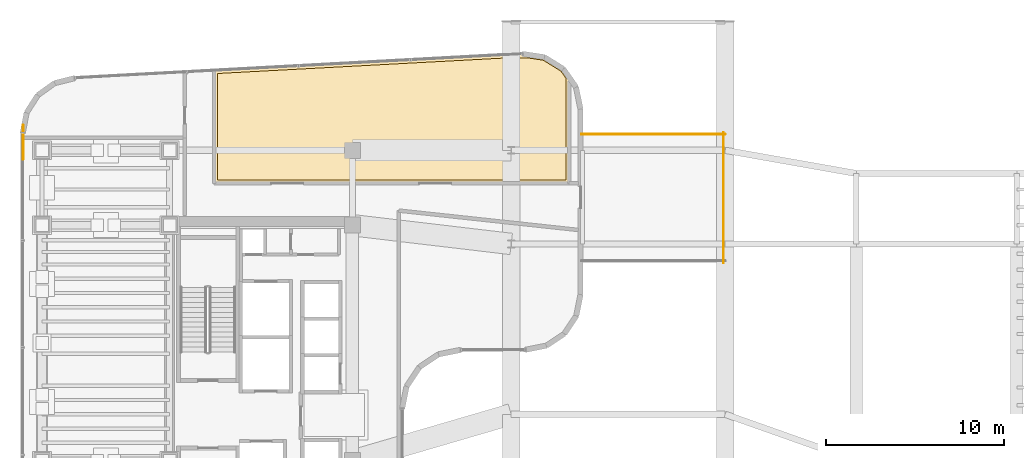
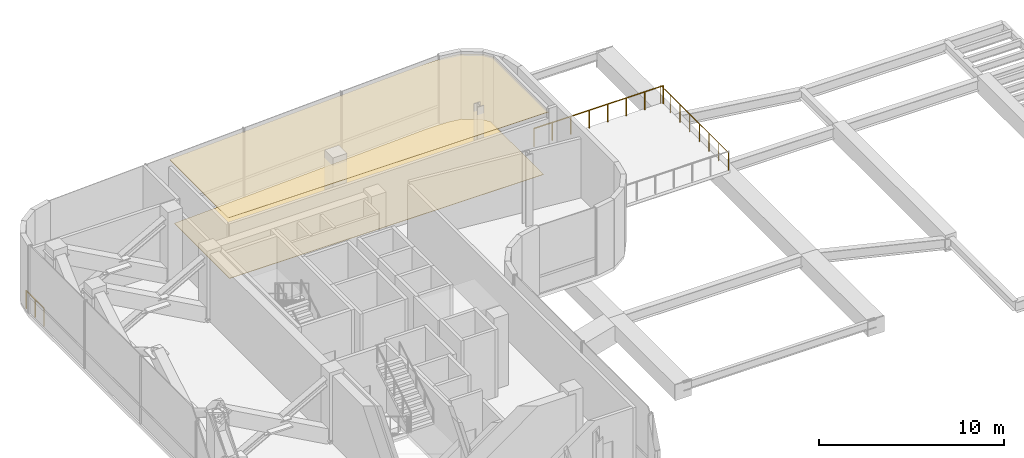
# One storey, part 20 of 20: 3 railings, 2 coverings.
"""IFC4 building model written with IfcOpenShell, lengths in metres."""

from ifc_helpers import new_model, si_unit, direction, frame, origin, origin_2d, place, context, subcontext, project, spatial, polyline, circle, outline, extrude, material, layer, layer_set, type_object, element, save


model = new_model("IFC4")

# Units and contexts
model_context = context("Model", 3, precision=1e-05, world=origin(), true_north=direction((0.0, 1.0)))
body_context = subcontext(model_context, "Body", "Model", "MODEL_VIEW")
ifc_project = project(units=[si_unit("LENGTHUNIT", "METRE"), si_unit("AREAUNIT", "SQUARE_METRE"), si_unit("VOLUMEUNIT", "CUBIC_METRE"), si_unit("PLANEANGLEUNIT", "RADIAN"), si_unit("MASSUNIT", "GRAM", prefix="KILO")], contexts=[model_context])

# Site, building, storey
site_placement = place(None, origin())
site = spatial("IfcSite", under=ifc_project, at=site_placement, CompositionType="ELEMENT")
building_placement = place(site_placement, origin())
building = spatial("IfcBuilding", under=site, at=building_placement, Name="Valdorenza Pilgrim Sanctuary Tower", CompositionType="ELEMENT")
storey_placement = place(building_placement, frame((0.0, 0.0, 196.300048828125)))
storey = spatial("IfcBuildingStorey", under=building, at=storey_placement, Name="L50", CompositionType="ELEMENT", Elevation=196.300048828125)

# Coverings
ifc_material_1 = material(Name="Micro-perforated acoustic mineral ceiling tile", Category="gypsum")
ifc_layer_1 = layer(ifc_material_1, 0.02490234375, Name="Micro-perforated acoustic mineral ceiling tile")
ifc_layer_set_1 = layer_set([ifc_layer_1], Name="Micro-perforated acoustic mineral ceiling tile")
covering_type_1 = type_object("IfcCoveringType", Name="COV-CLG-ACU", PredefinedType="CEILING", material=ifc_layer_set_1)
covering_1_placement = place(storey_placement, frame((0.0, 0.0, 4.159912109375)))
element("IfcCovering", 1, at=covering_1_placement, inside=storey, type_object=covering_type_1, Name="L50 Primary Smokeproof Refuge Area Acoustic Ceiling", PredefinedType="CEILING", context=body_context, shape_type="SweptSolid", body=[
    extrude(outline(polyline([(-20.14990234375, 12.93505859375), (-20.151611328125, 12.93505859375), (-20.15283203125, 12.935302734375), (-20.154296875, 12.935546875), (-20.15576171875, 12.93603515625), (-20.156982421875, 12.936767578125), (-20.158203125, 12.9375), (-20.159423828125, 12.9384765625), (-20.16064453125, 12.939453125), (-20.16162109375, 12.9404296875), (-20.16259765625, 12.941650390625), (-20.1630859375, 12.94287109375), (-20.163818359375, 12.9443359375), (-20.164306640625, 12.945556640625), (-20.164794921875, 12.947021484375), (-20.164794921875, 12.948486328125), (-20.1650390625, 12.949951171875), (-20.1650390625, 19.275390625), (-20.164794921875, 19.27685546875), (-20.164794921875, 19.2783203125), (-20.164306640625, 19.27978515625), (-20.163818359375, 19.28125), (-20.1630859375, 19.28271484375), (-20.162353515625, 19.283935546875), (-20.161376953125, 19.28515625), (-20.160400390625, 19.286376953125), (-20.1591796875, 19.287109375), (-20.157958984375, 19.2880859375), (-20.156494140625, 19.288818359375), (-20.1552734375, 19.28955078125), (-20.15380859375, 19.289794921875), (-20.15234375, 19.290283203125), (-20.15087890625, 19.290283203125), (-3.945068359375, 20.1650390625), (-3.944091796875, 20.1650390625), (-2.494873046875, 20.1650390625), (-2.49365234375, 20.1650390625), (-2.49267578125, 20.164794921875), (-1.63232421875, 20.035400390625), (-1.630859375, 20.03515625), (-1.62939453125, 20.034912109375), (-1.628173828125, 20.0341796875), (-1.626708984375, 20.033447265625), (-0.568359375, 19.376708984375), (-0.567138671875, 19.3759765625), (-0.56591796875, 19.375), (-0.56494140625, 19.373779296875), (-0.56396484375, 19.372802734375), (-0.23779296875, 18.905029296875), (-0.23681640625, 18.90380859375), (-0.236083984375, 18.90234375), (-0.235595703125, 18.90087890625), (-0.2353515625, 18.8994140625), (-0.235107421875, 18.89794921875), (-0.235107421875, 18.896484375), (-0.235107421875, 12.949951171875), (-0.235107421875, 12.948486328125), (-0.2353515625, 12.947021484375), (-0.235595703125, 12.945556640625), (-0.236083984375, 12.9443359375), (-0.23681640625, 12.94287109375), (-0.237548828125, 12.941650390625), (-0.23828125, 12.9404296875), (-0.239501953125, 12.939453125), (-0.240478515625, 12.9384765625), (-0.24169921875, 12.9375), (-0.242919921875, 12.936767578125), (-0.244384765625, 12.93603515625), (-0.24560546875, 12.935546875), (-0.2470703125, 12.935302734375), (-0.24853515625, 12.93505859375), (-0.25, 12.93505859375), (-20.14990234375, 12.93505859375)])), origin(), (0.0, 0.0, 1.0), 0.025146484375),
])
ifc_material_2 = material(Name="Honed travertine stone flooring", Category="masonry")
ifc_layer_2 = layer(ifc_material_2, 0.030029296875, Name="Honed travertine stone flooring")
ifc_layer_set_2 = layer_set([ifc_layer_2], Name="Honed travertine stone flooring")
covering_type_2 = type_object("IfcCoveringType", Name="COV-FLR-TRV", PredefinedType="FLOORING", material=ifc_layer_set_2)
covering_2_placement = place(storey_placement, origin())
element("IfcCovering", 2, at=covering_2_placement, inside=storey, type_object=covering_type_2, Name="L50 Primary Smokeproof Refuge Area Flooring", PredefinedType="FLOORING", context=body_context, shape_type="SweptSolid", body=[
    extrude(outline(polyline([(-19.969970703125, 13.1298828125), (-19.969970703125, 19.10498046875), (-3.939208984375, 19.969970703125), (-2.50830078125, 19.969970703125), (-1.697998046875, 19.84814453125), (-0.70263671875, 19.230712890625), (-0.429931640625, 18.83984375), (-0.429931640625, 13.1298828125), (-19.969970703125, 13.1298828125)])), origin(), (0.0, 0.0, 1.0), 0.02490234375),
])

# Railings
ifc_material_3 = material(Name="Laminated safety glass and stainless steel", Category="steel")
railing_type_1 = type_object("IfcRailingType", Name="RLG-BAL-1200", PredefinedType="BALUSTRADE", material=ifc_material_3)
railing_1_placement = place(storey_placement, frame((8.39990234375, 8.5, 0.0)))
element("IfcRailing", 3, at=railing_1_placement, inside=storey, type_object=railing_type_1, Name="L50 East Wing Roof Terrace Balustrade 2", PredefinedType="BALUSTRADE", context=body_context, shape_type="SweptSolid", body=[
    extrude(circle(Radius=0.02392578125, at=origin_2d()), frame((0.0, 0.0, 1.17578125), z_axis=(0.0, 1.0, 0.0), x_axis=(-1.0, 0.0, 0.0)), (0.0, 0.0, 1.0), 7.300048828125),
    extrude(circle(Radius=0.02099609375, at=origin_2d()), origin(), (0.0, 0.0, 1.0), 1.15185546875),
    extrude(circle(Radius=0.02099609375, at=origin_2d()), frame((0.0, 1.04296875, 0.0)), (0.0, 0.0, 1.0), 1.15185546875),
    extrude(circle(Radius=0.02099609375, at=origin_2d()), frame((0.0, 2.085693359375, 0.0)), (0.0, 0.0, 1.0), 1.15185546875),
    extrude(circle(Radius=0.02099609375, at=origin_2d()), frame((0.0, 3.128662109375, 0.0)), (0.0, 0.0, 1.0), 1.15185546875),
    extrude(circle(Radius=0.02099609375, at=origin_2d()), frame((0.0, 4.17138671875, 0.0)), (0.0, 0.0, 1.0), 1.15185546875),
    extrude(circle(Radius=0.02099609375, at=origin_2d()), frame((0.0, 5.21435546875, 0.0)), (0.0, 0.0, 1.0), 1.15185546875),
    extrude(circle(Radius=0.02099609375, at=origin_2d()), frame((0.0, 6.257080078125, 0.0)), (0.0, 0.0, 1.0), 1.15185546875),
    extrude(circle(Radius=0.02099609375, at=origin_2d()), frame((0.0, 7.300048828125, 0.0)), (0.0, 0.0, 1.0), 1.15185546875),
])
railing_2_placement = place(storey_placement, frame((8.5, 15.699951171875, 0.0)))
element("IfcRailing", 4, at=railing_2_placement, inside=storey, type_object=railing_type_1, Name="L50 East Wing Roof Terrace Balustrade 3", PredefinedType="BALUSTRADE", context=body_context, shape_type="SweptSolid", body=[
    extrude(circle(Radius=0.02392578125, at=origin_2d()), frame((0.0, 0.0, 1.17578125), z_axis=(-1.0, 0.0, 0.0), x_axis=(0.0, -1.0, 0.0)), (0.0, 0.0, 1.0), 8.050048828125),
    extrude(circle(Radius=0.02099609375, at=origin_2d()), origin(), (0.0, 0.0, 1.0), 1.15185546875),
    extrude(circle(Radius=0.02099609375, at=origin_2d()), frame((-1.14990234375, 0.0, 0.0)), (0.0, 0.0, 1.0), 1.15185546875),
    extrude(circle(Radius=0.02099609375, at=origin_2d()), frame((-2.300048828125, 0.0, 0.0)), (0.0, 0.0, 1.0), 1.15185546875),
    extrude(circle(Radius=0.02099609375, at=origin_2d()), frame((-3.449951171875, 0.0, 0.0)), (0.0, 0.0, 1.0), 1.15185546875),
    extrude(circle(Radius=0.02099609375, at=origin_2d()), frame((-4.60009765625, 0.0, 0.0)), (0.0, 0.0, 1.0), 1.15185546875),
    extrude(circle(Radius=0.02099609375, at=origin_2d()), frame((-5.75, 0.0, 0.0)), (0.0, 0.0, 1.0), 1.15185546875),
    extrude(circle(Radius=0.02099609375, at=origin_2d()), frame((-6.900146484375, 0.0, 0.0)), (0.0, 0.0, 1.0), 1.15185546875),
    extrude(circle(Radius=0.02099609375, at=origin_2d()), frame((-8.050048828125, 0.0, 0.0)), (0.0, 0.0, 1.0), 1.15185546875),
])
ifc_material_4 = material(Name="Stainless steel Grade 316", Category="steel")
railing_type_2 = type_object("IfcRailingType", Name="RLG-GRD-1120", PredefinedType="GUARDRAIL", material=ifc_material_4)
railing_3_placement = place(storey_placement, frame((-30.860107421875, 14.300048828125, 0.0)))
element("IfcRailing", 5, at=railing_3_placement, inside=storey, type_object=railing_type_2, Name="L50 NW Tangent Safety Sill Guard", PredefinedType="GUARDRAIL", context=body_context, shape_type="SweptSolid", body=[
    extrude(circle(Radius=0.02392578125, at=origin_2d()), frame((0.0, 0.0, 1.17578125), z_axis=(0.0, 1.0, 0.0), x_axis=(-1.0, 0.0, 0.0)), (0.0, 0.0, 1.0), 1.89990234375),
    extrude(circle(Radius=0.02099609375, at=origin_2d()), origin(), (0.0, 0.0, 1.0), 1.15185546875),
    extrude(circle(Radius=0.02099609375, at=origin_2d()), frame((0.0, 0.949951171875, 0.0)), (0.0, 0.0, 1.0), 1.15185546875),
    extrude(circle(Radius=0.02099609375, at=origin_2d()), frame((0.0, 1.89990234375, 0.0)), (0.0, 0.0, 1.0), 1.15185546875),
])

save(model, "model.ifc")
